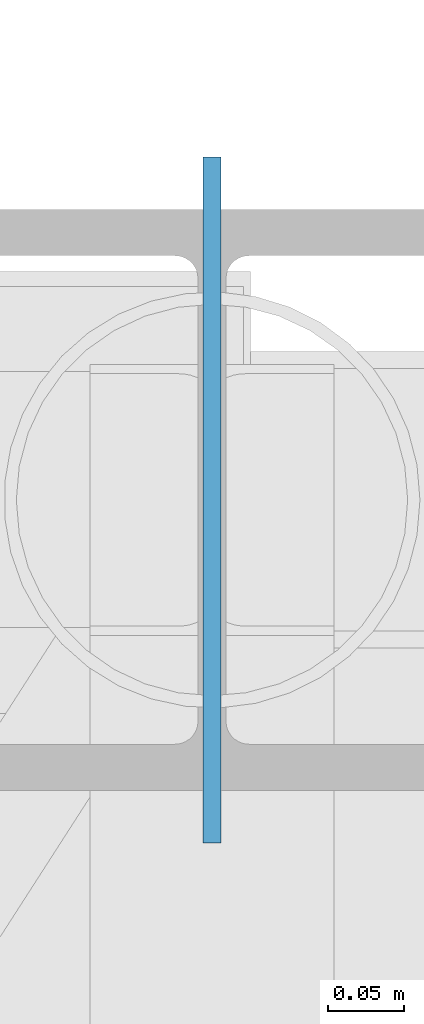
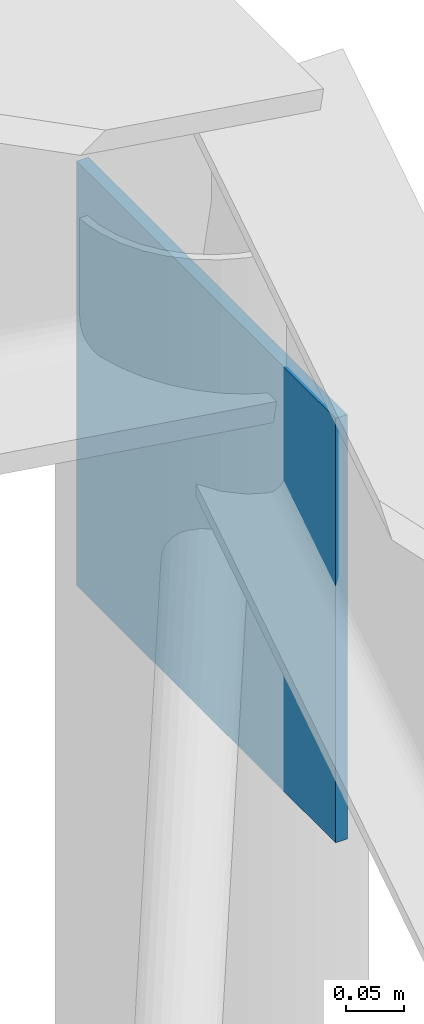
# One storey, part 261 of 262: 1 plate.
"""IFC4 building model written with IfcOpenShell, lengths in metres."""

import ifcopenshell
import ifcopenshell.guid

model = None  # the IFC model being written
_history = None  # IfcOwnerHistory: only IFC2X3 demands one
_inside = {}  # id of a spatial element -> (the spatial element, [elements in it])
_under = {}  # id of a project, library or spatial element -> (it, [spatial elements below it])
_declared = {}  # id of a project -> (the project, [libraries it declares])
_typed = {}  # id of a type object -> (the type object, [elements of that type])
_made_of = {}  # id of a material, layer set ... -> (it, [elements and type objects made of it])


def new_model(schema):
    """Start an empty IFC model of exactly this schema.

    Asked for "IFC4X3", IfcOpenShell would pick the latest addendum, in which some entities
    have other attributes; the version numbers below select the first issue.
    IFC2X3 requires an IfcOwnerHistory on every rooted entity: one is made here for all.
    """
    global model, _history
    if schema == "IFC4X3":
        model = ifcopenshell.file(schema_version=(4, 3, 0, 0))
    else:
        model = ifcopenshell.file(schema=schema)
    _inside.clear()
    _under.clear()
    _declared.clear()
    _typed.clear()
    _made_of.clear()
    _history = None
    if model.schema == "IFC2X3":
        org = make("IfcOrganization", Name="unknown")
        user = make(
            "IfcPersonAndOrganization",
            ThePerson=make("IfcPerson", FamilyName="unknown"),
            TheOrganization=org,
        )
        app = make(
            "IfcApplication",
            ApplicationDeveloper=org,
            Version="unknown",
            ApplicationFullName="unknown",
            ApplicationIdentifier="unknown",
        )
        _history = make(
            "IfcOwnerHistory",
            OwningUser=user,
            OwningApplication=app,
            ChangeAction="ADDED",
            CreationDate=0,
        )
    return model


def make(cls, **values):
    """One entity of the class cls with the attributes given. An attribute that is None is left unset."""
    return model.create_entity(
        cls, **{name: value for name, value in values.items() if value is not None}
    )


def rooted(cls, **values):
    """An entity with a GlobalId (a new one), such as an element, a storey or a relation."""
    return make(cls, GlobalId=ifcopenshell.guid.new(), OwnerHistory=_history, **values)


def si_unit(unit_type, name, prefix=None):
    """IfcSIUnit, for example si_unit("LENGTHUNIT", "METRE", prefix="MILLI")."""
    return make("IfcSIUnit", UnitType=unit_type, Prefix=prefix, Name=name)


def derived_unit(unit_type, elements):
    """IfcDerivedUnit: a product of units, each with its exponent."""
    return make(
        "IfcDerivedUnit",
        Elements=[
            make("IfcDerivedUnitElement", Unit=unit, Exponent=power)
            for unit, power in elements
        ],
        UnitType=unit_type,
    )


def assignment(units):
    """IfcUnitAssignment: the units of a project."""
    return None if units is None else make("IfcUnitAssignment", Units=units)


def point(xyz):
    """IfcCartesianPoint."""
    return None if xyz is None else make("IfcCartesianPoint", Coordinates=xyz)


def direction(xyz):
    """IfcDirection."""
    return None if xyz is None else make("IfcDirection", DirectionRatios=xyz)


def frame(location, z_axis=None, x_axis=None):
    """IfcAxis2Placement3D, a coordinate frame: its origin and axes. An axis left out is left unset."""
    return make(
        "IfcAxis2Placement3D",
        Location=point(location),
        Axis=direction(z_axis),
        RefDirection=direction(x_axis),
    )


def frame_2d(location, x_axis=None):
    """IfcAxis2Placement2D, a coordinate frame in the plane: its origin and x axis."""
    return make(
        "IfcAxis2Placement2D", Location=point(location), RefDirection=direction(x_axis)
    )


def origin():
    """The frame at (0, 0, 0) with its axes left unset."""
    return frame((0.0, 0.0, 0.0))


def origin_2d():
    """The frame at (0, 0) in the plane with its x axis left unset."""
    return frame_2d((0.0, 0.0))


def place(relative_to, where):
    """IfcLocalPlacement: puts the frame where relative to a parent placement (None: the world)."""
    return make(
        "IfcLocalPlacement", PlacementRelTo=relative_to, RelativePlacement=where
    )


def context(
    kind, dimensions, precision=None, world=None, true_north=None, identifier=None
):
    """IfcGeometricRepresentationContext, for example the 3D "Model" context."""
    return make(
        "IfcGeometricRepresentationContext",
        ContextIdentifier=identifier,
        ContextType=kind,
        CoordinateSpaceDimension=dimensions,
        Precision=precision,
        WorldCoordinateSystem=world,
        TrueNorth=true_north,
    )


def subcontext(parent, identifier, kind, view, scale=None):
    """IfcGeometricRepresentationSubContext, for example "Body" below "Model"."""
    return make(
        "IfcGeometricRepresentationSubContext",
        ContextIdentifier=identifier,
        ContextType=kind,
        ParentContext=parent,
        TargetScale=scale,
        TargetView=view,
    )


def project(units=None, contexts=None):
    """IfcProject with its units and contexts."""
    return rooted(
        "IfcProject",
        Name="project",
        RepresentationContexts=contexts,
        UnitsInContext=assignment(units),
    )


def spatial(cls, under=None, at=None, **own):
    """A site, building, storey or space (cls), placed at a placement, below another one or the project."""
    s = rooted(cls, ObjectPlacement=at, **own)
    if under is not None:
        _under.setdefault(under.id(), (under, []))[1].append(s)
    return s


def profile(cls, at=None, kind="AREA", **sizes):
    """A parametric profile (cls). Its sizes go by their IFC names, for example OverallWidth=200.0."""
    return make(cls, ProfileType=kind, Position=at, **sizes)


def rectangle(**sizes):
    """IfcRectangleProfileDef."""
    return profile("IfcRectangleProfileDef", **sizes)


def extrude(swept, where, along, depth):
    """IfcExtrudedAreaSolid: the profile swept, set in the frame where, extruded along a direction by depth."""
    return make(
        "IfcExtrudedAreaSolid",
        SweptArea=swept,
        Position=where,
        ExtrudedDirection=direction(along),
        Depth=depth,
    )


def shape(context_of_items, identifier, shape_type, items):
    """IfcShapeRepresentation: the items that make up one representation, for example the "Body"."""
    return make(
        "IfcShapeRepresentation",
        ContextOfItems=context_of_items,
        RepresentationIdentifier=identifier,
        RepresentationType=shape_type,
        Items=items,
    )


def material(Name=None, Category=None):
    """IfcMaterial."""
    return make("IfcMaterial", Name=Name, Category=Category)


def layer(
    of_material, thickness, ventilated=None, Name=None, Category=None, Priority=None
):
    """IfcMaterialLayer: one layer of a wall or slab, of a material (None: an air gap)."""
    return make(
        "IfcMaterialLayer",
        Material=of_material,
        LayerThickness=thickness,
        IsVentilated=ventilated,
        Name=Name,
        Category=Category,
        Priority=Priority,
    )


def layer_set(layers, Name=None):
    """IfcMaterialLayerSet."""
    return make("IfcMaterialLayerSet", MaterialLayers=layers, LayerSetName=Name)


def made_of(thing, what):
    """Note that an element or type object is made of a material, layer set ...; save() writes the relation."""
    if what is not None:
        _made_of.setdefault(what.id(), (what, []))[1].append(thing)
    return thing


def type_object(cls, material=None, **own):
    """A type object (cls), such as IfcWallType, which elements share."""
    return made_of(rooted(cls, **own), material)


def element(
    cls,
    number,
    at=None,
    inside=None,
    cuts=None,
    type_object=None,
    material=None,
    context=None,
    identifier="Body",
    shape_type=None,
    held_by="IfcProductDefinitionShape",
    body=None,
    shapes=None,
    **own,
):
    """One element of the class cls, such as IfcWall. Its Tag is "e" and its number.

    at: its placement. inside: the storey or other place that contains it. cuts: it is an
    opening in that element (IfcRelVoidsElement). A single representation is given by context,
    identifier, shape_type and body (its items); several are given by shapes. held_by: the class
    of the entity that holds the representations. save() writes the other relations.
    """
    e = rooted(cls, Tag="e%d" % number, ObjectPlacement=at, **own)
    if body is not None:
        shapes = [shape(context, identifier, shape_type, body)]
    if shapes is not None:
        e.Representation = make(held_by, Representations=shapes)
    if inside is not None:
        _inside.setdefault(inside.id(), (inside, []))[1].append(e)
    if cuts is not None:
        rooted(
            "IfcRelVoidsElement", RelatingBuildingElement=cuts, RelatedOpeningElement=e
        )
    if type_object is not None:
        _typed.setdefault(type_object.id(), (type_object, []))[1].append(e)
    return made_of(e, material)


def aggregate(whole, parts):
    """IfcRelAggregates: a whole, such as a stair, and the parts it consists of."""
    return rooted("IfcRelAggregates", RelatingObject=whole, RelatedObjects=parts)


def save(model, path):
    """Write the relations noted so far, then the file.

    IfcRelAggregates (storeys below a building ...), IfcRelContainedInSpatialStructure (elements
    in a storey), IfcRelDefinesByType, IfcRelAssociatesMaterial and IfcRelDeclares: one each for
    every whole, place, type object, material and project.
    """
    for whole, parts in _under.values():
        aggregate(whole, parts)
    for where, things in _inside.values():
        rooted(
            "IfcRelContainedInSpatialStructure",
            RelatedElements=things,
            RelatingStructure=where,
        )
    for kind, things in _typed.values():
        rooted("IfcRelDefinesByType", RelatedObjects=things, RelatingType=kind)
    for what, things in _made_of.values():
        rooted("IfcRelAssociatesMaterial", RelatedObjects=things, RelatingMaterial=what)
    for by, libraries in _declared.values():
        rooted("IfcRelDeclares", RelatingContext=by, RelatedDefinitions=libraries)
    model.write(path)


model = new_model("IFC4")

# Units and contexts
model_context = context("Model", 3, precision=1e-05, world=origin(), true_north=direction((0.0, 1.0)))
body_context = subcontext(model_context, "Body", "Model", "MODEL_VIEW")
ifc_project = project(units=[si_unit("LENGTHUNIT", "METRE"), si_unit("AREAUNIT", "SQUARE_METRE"), si_unit("VOLUMEUNIT", "CUBIC_METRE"), si_unit("PLANEANGLEUNIT", "RADIAN"), si_unit("MASSUNIT", "GRAM", prefix="KILO"), derived_unit("THERMALTRANSMITTANCEUNIT", [(si_unit("POWERUNIT", "WATT"), 1), (si_unit("LENGTHUNIT", "METRE"), -2), (si_unit("THERMODYNAMICTEMPERATUREUNIT", "KELVIN"), -1)])], contexts=[model_context])

# Site, building, storey
site_placement = place(None, origin())
site = spatial("IfcSite", under=ifc_project, at=site_placement, CompositionType="ELEMENT")
building_placement = place(site_placement, origin())
building = spatial("IfcBuilding", under=site, at=building_placement, Name="Almenara Railside Exhibition Hall", CompositionType="ELEMENT")
storey_placement = place(building_placement, frame((0.0, 0.0, 21.699951171875)))
storey = spatial("IfcBuildingStorey", under=building, at=storey_placement, Name="RF", CompositionType="ELEMENT", Elevation=21.699951171875)

# Plate
ifc_material = material(Name="Structural steel S355JR", Category="steel")
ifc_layer = layer(ifc_material, 0.011962890625, Name="Structural steel S355JR")
ifc_layer_set = layer_set([ifc_layer], Name="Structural steel S355JR")
plate_type = type_object("IfcPlateType", Name="Truss Node Gusset Plate 12mm S355JR", PredefinedType="USERDEFINED", material=ifc_layer_set)
plate_placement = place(storey_placement, frame((192.0, 132.0, 1.125), z_axis=(0.0, 0.0, 1.0), x_axis=(0.0, 1.0, 0.0)))
element("IfcPlate", 1, at=plate_placement, inside=storey, type_object=plate_type, Name="PLT-GUS-0152", ObjectType="GUSSET_PLATE", PredefinedType="USERDEFINED", context=body_context, shape_type="SweptSolid", body=[
    extrude(rectangle(XDim=0.449951171875, YDim=0.011962890625, at=origin_2d()), origin(), (0.0, 0.0, 1.0), 0.449951171875),
])

save(model, "model.ifc")
